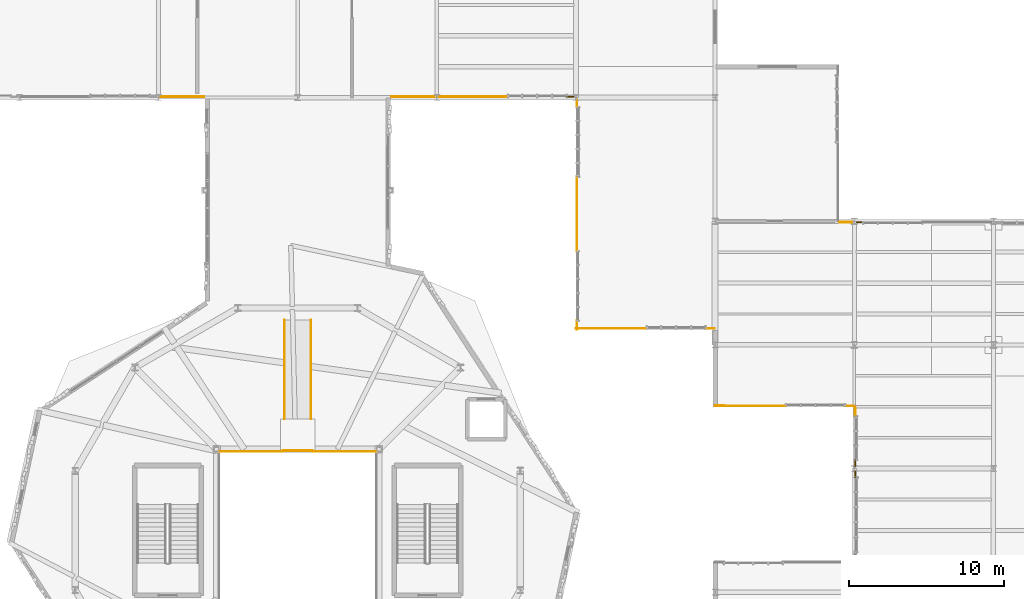
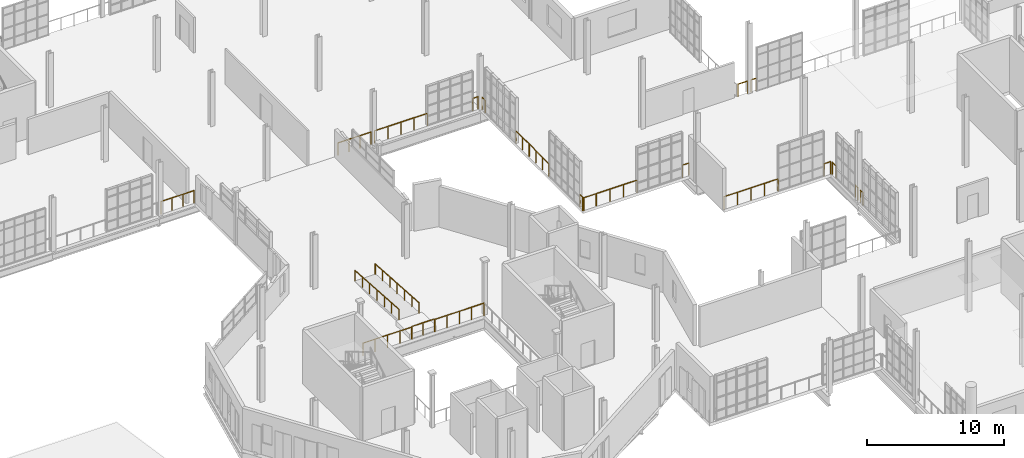
# One storey, part 115 of 118: 21 railings.
"""IFC4 building model written with IfcOpenShell, lengths in metres."""

from ifc_helpers import new_model, si_unit, direction, frame, origin, origin_2d, place, context, subcontext, project, spatial, circle, extrude, material, type_object, element, save


model = new_model("IFC4")

# Units and contexts
model_context = context("Model", 3, precision=1e-05, world=origin(), true_north=direction((0.0, 1.0)))
body_context = subcontext(model_context, "Body", "Model", "MODEL_VIEW")
ifc_project = project(units=[si_unit("LENGTHUNIT", "METRE"), si_unit("AREAUNIT", "SQUARE_METRE"), si_unit("VOLUMEUNIT", "CUBIC_METRE"), si_unit("PLANEANGLEUNIT", "RADIAN"), si_unit("MASSUNIT", "GRAM", prefix="KILO"), si_unit("THERMODYNAMICTEMPERATUREUNIT", "KELVIN"), si_unit("POWERUNIT", "WATT")], contexts=[model_context])

# Site, building, storey
site_placement = place(None, origin())
site = spatial("IfcSite", under=ifc_project, at=site_placement, CompositionType="ELEMENT")
building_placement = place(site_placement, origin())
building = spatial("IfcBuilding", under=site, at=building_placement, Name="Zelmaris Science Centre", CompositionType="ELEMENT")
storey_placement = place(building_placement, frame((0.0, 0.0, 15.60009765625)))
storey = spatial("IfcBuildingStorey", under=building, at=storey_placement, Name="L03", CompositionType="ELEMENT", Elevation=15.60009765625)

# Railings
ifc_material = material(Name="Architectural bronze alloy C28000")
railing_type_1 = type_object("IfcRailingType", Name="Balustrade GD-01 H1120", PredefinedType="BALUSTRADE", material=ifc_material)
for number, where, name in (
    (1, (86.10009765625, 41.10009765625, 0.0), "L03 Atrium void balustrade 33"),
    (2, (80.050048828125, 41.10009765625, 0.0), "L03 Atrium void balustrade 34"),
):
    element("IfcRailing", number, at=place(storey_placement, frame(where)), inside=storey, type_object=railing_type_1, Name=name, PredefinedType="BALUSTRADE", context=body_context, shape_type="SweptSolid", body=[
        extrude(circle(Radius=0.02392578125, at=origin_2d()), frame((0.0, 0.0, 1.09619140625), z_axis=(-1.0, 0.0, 0.0), x_axis=(0.0, -1.0, 0.0)), (0.0, 0.0, 1.0), 4.150146484375),
        extrude(circle(Radius=0.02099609375, at=origin_2d()), origin(), (0.0, 0.0, 1.0), 1.072021484375),
        extrude(circle(Radius=0.02099609375, at=origin_2d()), frame((-1.03759765625, 0.0, 0.0)), (0.0, 0.0, 1.0), 1.072021484375),
        extrude(circle(Radius=0.02099609375, at=origin_2d()), frame((-2.0751953125, 0.0, 0.0)), (0.0, 0.0, 1.0), 1.072021484375),
        extrude(circle(Radius=0.02099609375, at=origin_2d()), frame((-3.112548828125, 0.0, 0.0)), (0.0, 0.0, 1.0), 1.072021484375),
        extrude(circle(Radius=0.02099609375, at=origin_2d()), frame((-4.150146484375, 0.0, 0.0)), (0.0, 0.0, 1.0), 1.072021484375),
    ])
railing_1_placement = place(storey_placement, frame((74.93994140625, 64.06005859375, 0.0)))
element("IfcRailing", 3, at=railing_1_placement, inside=storey, type_object=railing_type_1, Name="L03 Perimeter safety balustrade 212", PredefinedType="BALUSTRADE", context=body_context, shape_type="SweptSolid", body=[
    extrude(circle(Radius=0.02392578125, at=origin_2d()), frame((0.0, 0.0, 1.09619140625), z_axis=(-1.0, 0.0, 0.0), x_axis=(0.0, -1.0, 0.0)), (0.0, 0.0, 1.0), 2.7919921875),
    extrude(circle(Radius=0.02099609375, at=origin_2d()), origin(), (0.0, 0.0, 1.0), 1.072021484375),
    extrude(circle(Radius=0.02099609375, at=origin_2d()), frame((-0.9306640625, 0.0, 0.0)), (0.0, 0.0, 1.0), 1.072021484375),
    extrude(circle(Radius=0.02099609375, at=origin_2d()), frame((-1.861328125, 0.0, 0.0)), (0.0, 0.0, 1.0), 1.072021484375),
    extrude(circle(Radius=0.02099609375, at=origin_2d()), frame((-2.7919921875, 0.0, 0.0)), (0.0, 0.0, 1.0), 1.072021484375),
])
railing_2_placement = place(storey_placement, frame((116.06005859375, 55.93994140625, 0.0)))
element("IfcRailing", 4, at=railing_2_placement, inside=storey, type_object=railing_type_1, Name="L03 Perimeter safety balustrade 238", PredefinedType="BALUSTRADE", context=body_context, shape_type="SweptSolid", body=[
    extrude(circle(Radius=0.02392578125, at=origin_2d()), frame((0.0, 0.0, 1.09619140625), z_axis=(1.0, 0.0, 0.0), x_axis=(0.0, 1.0, 0.0)), (0.0, 0.0, 1.0), 0.785888671875),
    extrude(circle(Radius=0.02099609375, at=origin_2d()), origin(), (0.0, 0.0, 1.0), 1.072021484375),
    extrude(circle(Radius=0.02099609375, at=origin_2d()), frame((0.785888671875, 0.0, 0.0)), (0.0, 0.0, 1.0), 1.072021484375),
])
railing_3_placement = place(storey_placement, frame((117.154052734375, 55.93994140625, 0.0)))
element("IfcRailing", 5, at=railing_3_placement, inside=storey, type_object=railing_type_1, Name="L03 Perimeter safety balustrade 239", PredefinedType="BALUSTRADE", context=body_context, shape_type="SweptSolid", body=[
    extrude(circle(Radius=0.02392578125, at=origin_2d()), frame((0.0, 0.0, 1.09619140625), z_axis=(1.0, 0.0, 0.0), x_axis=(0.0, 1.0, 0.0)), (0.0, 0.0, 1.0), 0.416015625),
    extrude(circle(Radius=0.02099609375, at=origin_2d()), origin(), (0.0, 0.0, 1.0), 1.072021484375),
    extrude(circle(Radius=0.02099609375, at=origin_2d()), frame((0.416015625, 0.0, 0.0)), (0.0, 0.0, 1.0), 1.072021484375),
])
railing_4_placement = place(storey_placement, frame((107.95751953125, 49.057373046875, 0.0)))
element("IfcRailing", 6, at=railing_4_placement, inside=storey, type_object=railing_type_1, Name="L03 Perimeter safety balustrade 243", PredefinedType="BALUSTRADE", context=body_context, shape_type="SweptSolid", body=[
    extrude(circle(Radius=0.02392578125, at=origin_2d()), frame((0.0, 0.0, 1.09619140625), z_axis=(-0.999999908294, 0.000428265485, 0.0), x_axis=(-0.000428265485, -0.999999908294, 0.0)), (0.0, 0.0, 1.0), 0.570068359375),
    extrude(circle(Radius=0.02099609375, at=origin_2d()), origin(), (0.0, 0.0, 1.0), 1.072021484375),
    extrude(circle(Radius=0.02099609375, at=origin_2d()), frame((-0.570068359375, 0.000244140625, 0.0)), (0.0, 0.0, 1.0), 1.072021484375),
])
railing_5_placement = place(storey_placement, frame((103.568603515625, 49.05859375, 0.0)))
element("IfcRailing", 7, at=railing_5_placement, inside=storey, type_object=railing_type_1, Name="L03 Perimeter safety balustrade 244", PredefinedType="BALUSTRADE", context=body_context, shape_type="SweptSolid", body=[
    extrude(circle(Radius=0.02392578125, at=origin_2d()), frame((0.0, 0.0, 1.09619140625), z_axis=(-0.999999948597, 0.000320632699, 0.0), x_axis=(-0.000320632699, -0.999999948597, 0.0)), (0.0, 0.0, 1.0), 4.568603515625),
    extrude(circle(Radius=0.02099609375, at=origin_2d()), origin(), (0.0, 0.0, 1.0), 1.072021484375),
    extrude(circle(Radius=0.02099609375, at=origin_2d()), frame((-1.14208984375, 0.00048828125, 0.0)), (0.0, 0.0, 1.0), 1.072021484375),
    extrude(circle(Radius=0.02099609375, at=origin_2d()), frame((-2.2841796875, 0.000732421875, 0.0)), (0.0, 0.0, 1.0), 1.072021484375),
    extrude(circle(Radius=0.02099609375, at=origin_2d()), frame((-3.426513671875, 0.0009765625, 0.0)), (0.0, 0.0, 1.0), 1.072021484375),
    extrude(circle(Radius=0.02099609375, at=origin_2d()), frame((-4.568603515625, 0.00146484375, 0.0)), (0.0, 0.0, 1.0), 1.072021484375),
])
railing_6_placement = place(storey_placement, frame((99.06005859375, 49.0, 0.0)))
element("IfcRailing", 8, at=railing_6_placement, inside=storey, type_object=railing_type_1, Name="L03 Perimeter safety balustrade 245", PredefinedType="BALUSTRADE", context=body_context, shape_type="SweptSolid", body=[
    extrude(circle(Radius=0.02392578125, at=origin_2d()), frame((0.0, 0.0, 1.09619140625), z_axis=(0.0, 1.0, 0.0), x_axis=(-1.0, 0.0, 0.0)), (0.0, 0.0, 1.0), 0.570068359375),
    extrude(circle(Radius=0.02099609375, at=origin_2d()), origin(), (0.0, 0.0, 1.0), 1.072021484375),
    extrude(circle(Radius=0.02099609375, at=origin_2d()), frame((0.0, 0.570068359375, 0.0)), (0.0, 0.0, 1.0), 1.072021484375),
])
railing_7_placement = place(storey_placement, frame((99.06005859375, 54.050048828125, 0.0)))
element("IfcRailing", 9, at=railing_7_placement, inside=storey, type_object=railing_type_1, Name="L03 Perimeter safety balustrade 246", PredefinedType="BALUSTRADE", context=body_context, shape_type="SweptSolid", body=[
    extrude(circle(Radius=0.02392578125, at=origin_2d()), frame((0.0, 0.0, 1.09619140625), z_axis=(0.0, 1.0, 0.0), x_axis=(-1.0, 0.0, 0.0)), (0.0, 0.0, 1.0), 4.83984375),
    extrude(circle(Radius=0.02099609375, at=origin_2d()), origin(), (0.0, 0.0, 1.0), 1.072021484375),
    extrude(circle(Radius=0.02099609375, at=origin_2d()), frame((0.0, 0.968017578125, 0.0)), (0.0, 0.0, 1.0), 1.072021484375),
    extrude(circle(Radius=0.02099609375, at=origin_2d()), frame((0.0, 1.93603515625, 0.0)), (0.0, 0.0, 1.0), 1.072021484375),
    extrude(circle(Radius=0.02099609375, at=origin_2d()), frame((0.0, 2.90380859375, 0.0)), (0.0, 0.0, 1.0), 1.072021484375),
    extrude(circle(Radius=0.02099609375, at=origin_2d()), frame((0.0, 3.871826171875, 0.0)), (0.0, 0.0, 1.0), 1.072021484375),
    extrude(circle(Radius=0.02099609375, at=origin_2d()), frame((0.0, 4.83984375, 0.0)), (0.0, 0.0, 1.0), 1.072021484375),
])
railing_8_placement = place(storey_placement, frame((99.06005859375, 63.3701171875, 0.0)))
element("IfcRailing", 10, at=railing_8_placement, inside=storey, type_object=railing_type_1, Name="L03 Perimeter safety balustrade 247", PredefinedType="BALUSTRADE", context=body_context, shape_type="SweptSolid", body=[
    extrude(circle(Radius=0.02392578125, at=origin_2d()), frame((0.0, 0.0, 1.09619140625), z_axis=(0.0, 1.0, 0.0), x_axis=(-1.0, 0.0, 0.0)), (0.0, 0.0, 1.0), 0.48193359375),
    extrude(circle(Radius=0.02099609375, at=origin_2d()), origin(), (0.0, 0.0, 1.0), 1.072021484375),
    extrude(circle(Radius=0.02099609375, at=origin_2d()), frame((0.0, 0.48193359375, 0.0)), (0.0, 0.0, 1.0), 1.072021484375),
])
railing_9_placement = place(storey_placement, frame((98.85205078125, 64.050048828125, 0.0)))
element("IfcRailing", 11, at=railing_9_placement, inside=storey, type_object=railing_type_1, Name="L03 Perimeter safety balustrade 248", PredefinedType="BALUSTRADE", context=body_context, shape_type="SweptSolid", body=[
    extrude(circle(Radius=0.02392578125, at=origin_2d()), frame((0.0, 0.0, 1.09619140625), z_axis=(-0.999999851994, 0.00054406956, 0.0), x_axis=(-0.00054406956, -0.999999851994, 0.0)), (0.0, 0.0, 1.0), 0.44873046875),
    extrude(circle(Radius=0.02099609375, at=origin_2d()), origin(), (0.0, 0.0, 1.0), 1.072021484375),
    extrude(circle(Radius=0.02099609375, at=origin_2d()), frame((-0.44873046875, 0.000244140625, 0.0)), (0.0, 0.0, 1.0), 1.072021484375),
])
railing_10_placement = place(storey_placement, frame((94.57666015625, 64.0537109375, 0.0)))
element("IfcRailing", 12, at=railing_10_placement, inside=storey, type_object=railing_type_1, Name="L03 Perimeter safety balustrade 249", PredefinedType="BALUSTRADE", context=body_context, shape_type="SweptSolid", body=[
    extrude(circle(Radius=0.02392578125, at=origin_2d()), frame((0.0, 0.0, 1.09619140625), z_axis=(-0.999999658079, 0.000826947179, 0.0), x_axis=(-0.000826947179, -0.999999658079, 0.0)), (0.0, 0.0, 1.0), 4.428466796875),
    extrude(circle(Radius=0.02099609375, at=origin_2d()), origin(), (0.0, 0.0, 1.0), 1.072021484375),
    extrude(circle(Radius=0.02099609375, at=origin_2d()), frame((-1.107177734375, 0.0009765625, 0.0)), (0.0, 0.0, 1.0), 1.072021484375),
    extrude(circle(Radius=0.02099609375, at=origin_2d()), frame((-2.21435546875, 0.001953125, 0.0)), (0.0, 0.0, 1.0), 1.072021484375),
    extrude(circle(Radius=0.02099609375, at=origin_2d()), frame((-3.3212890625, 0.002685546875, 0.0)), (0.0, 0.0, 1.0), 1.072021484375),
    extrude(circle(Radius=0.02099609375, at=origin_2d()), frame((-4.428466796875, 0.003662109375, 0.0)), (0.0, 0.0, 1.0), 1.072021484375),
])
railing_11_placement = place(storey_placement, frame((89.85205078125, 64.0576171875, 0.0)))
element("IfcRailing", 13, at=railing_11_placement, inside=storey, type_object=railing_type_1, Name="L03 Perimeter safety balustrade 250", PredefinedType="BALUSTRADE", context=body_context, shape_type="SweptSolid", body=[
    extrude(circle(Radius=0.02392578125, at=origin_2d()), frame((0.0, 0.0, 1.09619140625), z_axis=(-0.999999617685, 0.000874431285, 0.0), x_axis=(-0.000874431285, -0.999999617685, 0.0)), (0.0, 0.0, 1.0), 2.7919921875),
    extrude(circle(Radius=0.02099609375, at=origin_2d()), origin(), (0.0, 0.0, 1.0), 1.072021484375),
    extrude(circle(Radius=0.02099609375, at=origin_2d()), frame((-0.9306640625, 0.000732421875, 0.0)), (0.0, 0.0, 1.0), 1.072021484375),
    extrude(circle(Radius=0.02099609375, at=origin_2d()), frame((-1.861328125, 0.001708984375, 0.0)), (0.0, 0.0, 1.0), 1.072021484375),
    extrude(circle(Radius=0.02099609375, at=origin_2d()), frame((-2.7919921875, 0.00244140625, 0.0)), (0.0, 0.0, 1.0), 1.072021484375),
])
railing_12_placement = place(storey_placement, frame((117.055419921875, 39.429931640625, 0.0)))
element("IfcRailing", 14, at=railing_12_placement, inside=storey, type_object=railing_type_1, Name="L03 Perimeter safety balustrade 254", PredefinedType="BALUSTRADE", context=body_context, shape_type="SweptSolid", body=[
    extrude(circle(Radius=0.02392578125, at=origin_2d()), frame((0.0, 0.0, 1.09619140625), z_axis=(0.001173708112, 0.999999311204, 0.0), x_axis=(-0.999999311204, 0.001173708112, 0.0)), (0.0, 0.0, 1.0), 0.416015625),
    extrude(circle(Radius=0.02099609375, at=origin_2d()), origin(), (0.0, 0.0, 1.0), 1.072021484375),
    extrude(circle(Radius=0.02099609375, at=origin_2d()), frame((0.00048828125, 0.416015625, 0.0)), (0.0, 0.0, 1.0), 1.072021484375),
])
railing_13_placement = place(storey_placement, frame((117.05615234375, 40.15380859375, 0.0)))
element("IfcRailing", 15, at=railing_13_placement, inside=storey, type_object=railing_type_1, Name="L03 Perimeter safety balustrade 255", PredefinedType="BALUSTRADE", context=body_context, shape_type="SweptSolid", body=[
    extrude(circle(Radius=0.02392578125, at=origin_2d()), frame((0.0, 0.0, 1.09619140625), z_axis=(0.001173019721, 0.999999312012, 0.0), x_axis=(-0.999999312012, 0.001173019721, 0.0)), (0.0, 0.0, 1.0), 0.416259765625),
    extrude(circle(Radius=0.02099609375, at=origin_2d()), origin(), (0.0, 0.0, 1.0), 1.072021484375),
    extrude(circle(Radius=0.02099609375, at=origin_2d()), frame((0.00048828125, 0.416259765625, 0.0)), (0.0, 0.0, 1.0), 1.072021484375),
])
railing_14_placement = place(storey_placement, frame((117.059326171875, 43.3701171875, 0.0)))
element("IfcRailing", 16, at=railing_14_placement, inside=storey, type_object=railing_type_1, Name="L03 Perimeter safety balustrade 256", PredefinedType="BALUSTRADE", context=body_context, shape_type="SweptSolid", body=[
    extrude(circle(Radius=0.02392578125, at=origin_2d()), frame((0.0, 0.0, 1.09619140625), z_axis=(0.001285345982, 0.999999173943, 0.0), x_axis=(-0.999999173943, 0.001285345982, 0.0)), (0.0, 0.0, 1.0), 0.56982421875),
    extrude(circle(Radius=0.02099609375, at=origin_2d()), origin(), (0.0, 0.0, 1.0), 1.072021484375),
    extrude(circle(Radius=0.02099609375, at=origin_2d()), frame((0.000732421875, 0.56982421875, 0.0)), (0.0, 0.0, 1.0), 1.072021484375),
])
railing_15_placement = place(storey_placement, frame((116.978271484375, 44.04638671875, 0.0)))
element("IfcRailing", 17, at=railing_15_placement, inside=storey, type_object=railing_type_1, Name="L03 Perimeter safety balustrade 257", PredefinedType="BALUSTRADE", context=body_context, shape_type="SweptSolid", body=[
    extrude(circle(Radius=0.02392578125, at=origin_2d()), frame((0.0, 0.0, 1.09619140625), z_axis=(-0.99999917465, 0.001284795513, 0.0), x_axis=(-0.001284795513, -0.99999917465, 0.0)), (0.0, 0.0, 1.0), 0.570068359375),
    extrude(circle(Radius=0.02099609375, at=origin_2d()), origin(), (0.0, 0.0, 1.0), 1.072021484375),
    extrude(circle(Radius=0.02099609375, at=origin_2d()), frame((-0.570068359375, 0.000732421875, 0.0)), (0.0, 0.0, 1.0), 1.072021484375),
])
railing_16_placement = place(storey_placement, frame((112.5791015625, 44.052978515625, 0.0)))
element("IfcRailing", 18, at=railing_16_placement, inside=storey, type_object=railing_type_1, Name="L03 Perimeter safety balustrade 258", PredefinedType="BALUSTRADE", context=body_context, shape_type="SweptSolid", body=[
    extrude(circle(Radius=0.02392578125, at=origin_2d()), frame((0.0, 0.0, 1.09619140625), z_axis=(-0.999998804551, 0.001546252484, 0.0), x_axis=(-0.001546252484, -0.999998804551, 0.0)), (0.0, 0.0, 1.0), 4.578857421875),
    extrude(circle(Radius=0.02099609375, at=origin_2d()), origin(), (0.0, 0.0, 1.0), 1.072021484375),
    extrude(circle(Radius=0.02099609375, at=origin_2d()), frame((-1.144775390625, 0.001708984375, 0.0)), (0.0, 0.0, 1.0), 1.072021484375),
    extrude(circle(Radius=0.02099609375, at=origin_2d()), frame((-2.28955078125, 0.00341796875, 0.0)), (0.0, 0.0, 1.0), 1.072021484375),
    extrude(circle(Radius=0.02099609375, at=origin_2d()), frame((-3.43408203125, 0.00537109375, 0.0)), (0.0, 0.0, 1.0), 1.072021484375),
    extrude(circle(Radius=0.02099609375, at=origin_2d()), frame((-4.578857421875, 0.007080078125, 0.0)), (0.0, 0.0, 1.0), 1.072021484375),
])
railing_17_placement = place(storey_placement, frame((81.949951171875, 41.159912109375, 0.0)))
element("IfcRailing", 19, at=railing_17_placement, inside=storey, type_object=railing_type_1, Name="L03 Perimeter safety balustrade 259", PredefinedType="BALUSTRADE", context=body_context, shape_type="SweptSolid", body=[
    extrude(circle(Radius=0.02392578125, at=origin_2d()), frame((0.0, 0.0, 1.09619140625), z_axis=(-1.0, 0.0, 0.0), x_axis=(0.0, -1.0, 0.0)), (0.0, 0.0, 1.0), 1.89990234375),
    extrude(circle(Radius=0.02099609375, at=origin_2d()), origin(), (0.0, 0.0, 1.0), 1.072021484375),
    extrude(circle(Radius=0.02099609375, at=origin_2d()), frame((-0.949951171875, 0.0, 0.0)), (0.0, 0.0, 1.0), 1.072021484375),
    extrude(circle(Radius=0.02099609375, at=origin_2d()), frame((-1.89990234375, 0.0, 0.0)), (0.0, 0.0, 1.0), 1.072021484375),
])
railing_type_2 = type_object("IfcRailingType", Name="Handrail HR-02 H950", PredefinedType="HANDRAIL", material=ifc_material)
for number, where, name in (
    (20, (80.14990234375, 49.60009765625, 0.0), "L03 Atrium overlook ramp handrail 1"),
    (21, (81.85009765625, 49.60009765625, 0.0), "L03 Atrium overlook ramp handrail 2"),
):
    element("IfcRailing", number, at=place(storey_placement, frame(where)), inside=storey, type_object=railing_type_2, Name=name, PredefinedType="HANDRAIL", context=body_context, shape_type="SweptSolid", body=[
        extrude(circle(Radius=0.02392578125, at=origin_2d()), frame((0.0, 0.0, 0.92578125), z_axis=(0.0, -0.997854503767, 0.065470522467), x_axis=(1.0, 0.0, 0.0)), (0.0, 0.0, 1.0), 6.413818359375),
        extrude(circle(Radius=0.02099609375, at=origin_2d()), origin(), (0.0, 0.0, 1.0), 0.90185546875),
        extrude(circle(Radius=0.02099609375, at=origin_2d()), frame((0.0, -1.066650390625, 0.070068359375)), (0.0, 0.0, 1.0), 0.90185546875),
        extrude(circle(Radius=0.02099609375, at=origin_2d()), frame((0.0, -2.13330078125, 0.139892578125)), (0.0, 0.0, 1.0), 0.90185546875),
        extrude(circle(Radius=0.02099609375, at=origin_2d()), frame((0.0, -3.2001953125, 0.2099609375)), (0.0, 0.0, 1.0), 0.90185546875),
        extrude(circle(Radius=0.02099609375, at=origin_2d()), frame((0.0, -4.266845703125, 0.280029296875)), (0.0, 0.0, 1.0), 0.90185546875),
        extrude(circle(Radius=0.02099609375, at=origin_2d()), frame((0.0, -5.33349609375, 0.349853515625)), (0.0, 0.0, 1.0), 0.90185546875),
        extrude(circle(Radius=0.02099609375, at=origin_2d()), frame((0.0, -6.400146484375, 0.419921875)), (0.0, 0.0, 1.0), 0.90185546875),
    ])

save(model, "model.ifc")
